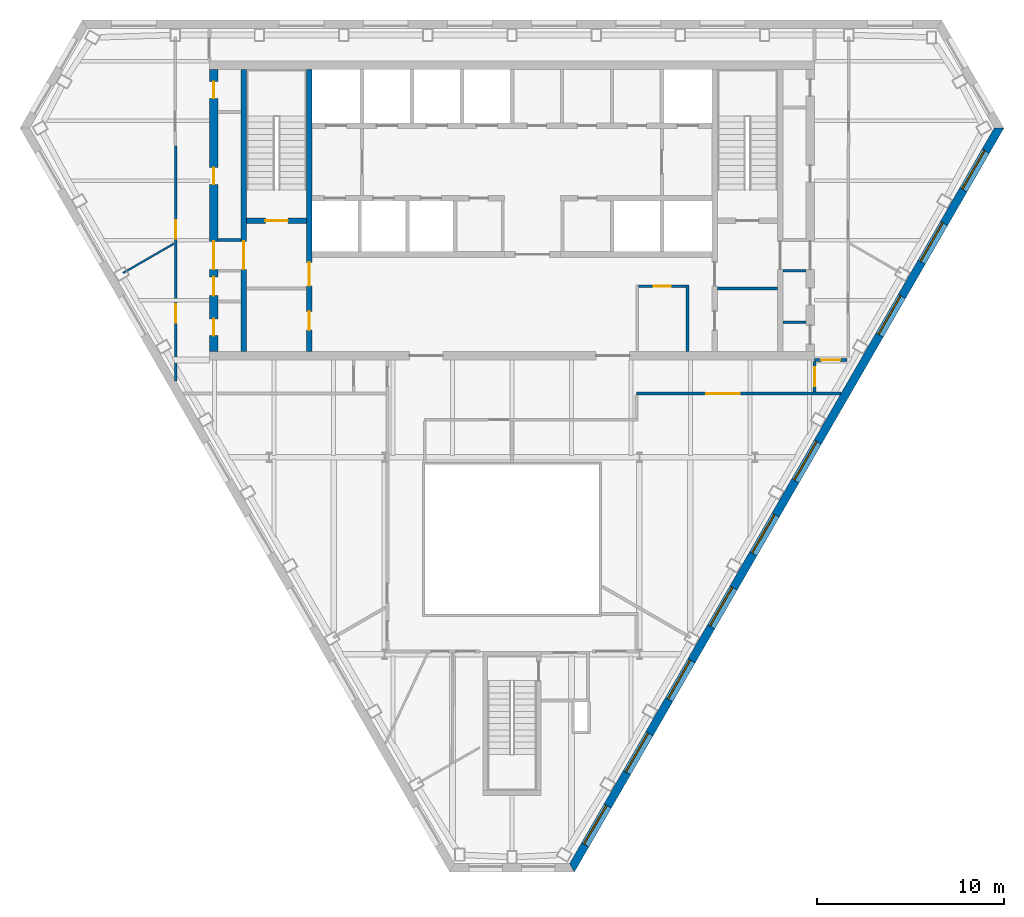
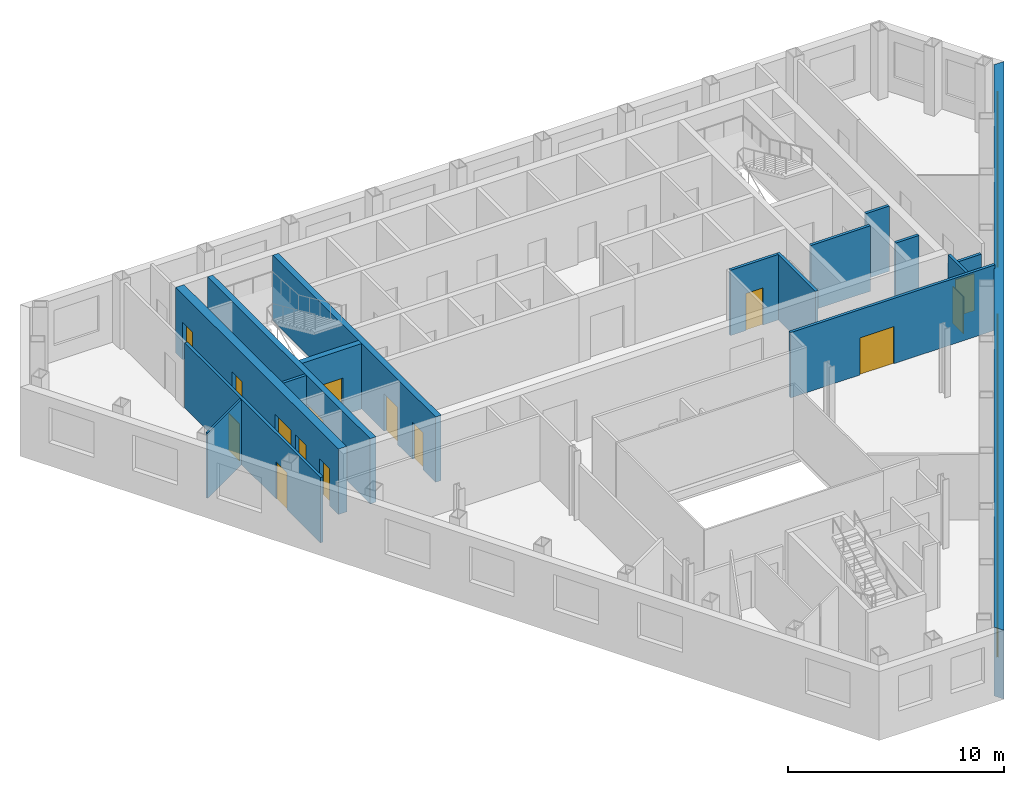
# One storey, part 5 of 10: 16 walls, 15 doors, 9 windows, 24 openings.
"""IFC4 building model written with IfcOpenShell, lengths in metres."""

from ifc_helpers import new_model, si_unit, direction, frame, frame_2d, origin, place, context, subcontext, project, spatial, polyline, rectangle, outline, extrude, material, layer, layer_set, type_object, element, fill, save


model = new_model("IFC4")

# Units and contexts
model_context = context("Model", 3, precision=1e-05, world=origin(), true_north=direction((0.0, 1.0)))
body_context = subcontext(model_context, "Body", "Model", "MODEL_VIEW")
ifc_project = project(units=[si_unit("LENGTHUNIT", "METRE"), si_unit("AREAUNIT", "SQUARE_METRE"), si_unit("VOLUMEUNIT", "CUBIC_METRE"), si_unit("PLANEANGLEUNIT", "RADIAN"), si_unit("MASSUNIT", "GRAM", prefix="KILO")], contexts=[model_context])

# Site, building, storey
site_placement = place(None, origin())
site = spatial("IfcSite", under=ifc_project, at=site_placement, CompositionType="ELEMENT")
building_placement = place(site_placement, origin())
building = spatial("IfcBuilding", under=site, at=building_placement, Name="Njiva Tower", CompositionType="ELEMENT")
storey_placement = place(building_placement, frame((0.0, 0.0, 231.6)))
storey = spatial("IfcBuildingStorey", under=building, at=storey_placement, Name="L52", CompositionType="ELEMENT", Elevation=231.6)

# Walls
ifc_material_1 = material(Name="Blockwork", Category="masonry")
ifc_layer_1 = layer(ifc_material_1, 0.15)
ifc_layer_set_1 = layer_set([ifc_layer_1], Name="Blockwork")
wall_type_1 = type_object("IfcWallType", Name="WT1 Compartment partition 150", PredefinedType="PARTITIONING", material=ifc_layer_set_1)
wall_1_placement = place(storey_placement, frame((11.0, 5.825, 0.0), z_axis=(0.0, 0.0, 1.0), x_axis=(1.0, 0.0, 0.0)))
element("IfcWall", 1, at=wall_1_placement, inside=storey, type_object=wall_type_1, Name="Room wall B", PredefinedType="PARTITIONING", context=body_context, shape_type="SweptSolid", body=[
    extrude(rectangle(XDim=3.2, YDim=0.15, at=frame_2d((1.6, 0.0))), origin(), (0.0, 0.0, 1.0), 3.7),
])
wall_2_placement = place(storey_placement, frame((14.5, 4.025, 0.0), z_axis=(0.0, 0.0, 1.0), x_axis=(1.0, 0.0, 0.0)))
element("IfcWall", 2, at=wall_2_placement, inside=storey, type_object=wall_type_1, Name="Partition strip E00", PredefinedType="PARTITIONING", context=body_context, shape_type="SweptSolid", body=[
    extrude(rectangle(XDim=1.25, YDim=0.15, at=frame_2d((0.625, 0.0))), origin(), (0.0, 0.0, 1.0), 3.7),
])
wall_3_placement = place(storey_placement, frame((9.4, 2.45, 0.0), z_axis=(0.0, 0.0, 1.0), x_axis=(0.0, 1.0, 0.0)))
element("IfcWall", 3, at=wall_3_placement, inside=storey, type_object=wall_type_1, Name="Security office wall east", PredefinedType="PARTITIONING", context=body_context, shape_type="SweptSolid", body=[
    extrude(rectangle(XDim=3.575, YDim=0.15, at=frame_2d((1.7875, 0.0))), origin(), (0.0, 0.0, 1.0), 3.7),
])

# Wall, opening, door
wall_4_placement = place(storey_placement, frame((6.775, 5.95, 0.0), z_axis=(0.0, 0.0, 1.0), x_axis=(1.0, 0.0, 0.0)))
wall_4 = element("IfcWall", 4, at=wall_4_placement, inside=storey, type_object=wall_type_1, Name="Security office wall north", PredefinedType="PARTITIONING", context=body_context, shape_type="SweptSolid", body=[
    extrude(rectangle(XDim=2.55, YDim=0.15, at=frame_2d((1.275, 0.0))), origin(), (0.0, 0.0, 1.0), 3.7),
])
opening_1_placement = place(wall_4_placement, frame((0.825, 0.0, 0.0)))
opening_1 = element("IfcOpeningElement", 5, at=opening_1_placement, cuts=wall_4, Name="Opening S17-D934", PredefinedType="OPENING", context=body_context, shape_type="SweptSolid", body=[
    extrude(rectangle(XDim=0.9, YDim=2.1, at=frame_2d((0.45, 1.05))), frame((0.0, 0.085, 0.0), z_axis=(0.0, -1.0, 0.0), x_axis=(1.0, 0.0, 0.0)), (0.0, 0.0, 1.0), 0.17),
])
ifc_material_2 = material(Name="Steel fire door, painted", Category="steel")
door_type_1 = type_object("IfcDoorType", Name="D6 Fire-rated door 900x2100", OperationType="SINGLE_SWING_LEFT", PredefinedType="DOOR", material=ifc_material_2)
door_1_placement = place(opening_1_placement, origin())
door_1 = element("IfcDoor", 6, at=door_1_placement, inside=storey, type_object=door_type_1, Name="Security office door", OperationType="SINGLE_SWING_RIGHT", OverallHeight=2.1, OverallWidth=0.9, PredefinedType="DOOR", context=body_context, shape_type="SweptSolid", body=[
    extrude(rectangle(XDim=0.9, YDim=2.1, at=frame_2d((0.45, 1.05))), frame((0.0, 0.025, 0.0), z_axis=(0.0, -1.0, 0.0), x_axis=(1.0, 0.0, 0.0)), (0.0, 0.0, 1.0), 0.05),
])
fill(opening_1, door_1)

# Wall, openings, doors
ifc_material_3 = material(Name="Concrete C40/50", Category="concrete")
ifc_layer_2 = layer(ifc_material_3, 0.3)
ifc_layer_set_2 = layer_set([ifc_layer_2], Name="Concrete C40/50")
wall_type_2 = type_object("IfcWallType", Name="WT10 Stair enclosure wall 300", PredefinedType="SHEAR", material=ifc_layer_set_2)
wall_5_placement = place(storey_placement, frame((-10.85, 2.45, 0.0), z_axis=(0.0, 0.0, 1.0), x_axis=(0.0, 1.0, 0.0)))
wall_5 = element("IfcWall", 7, at=wall_5_placement, inside=storey, type_object=wall_type_2, Name="Stair wall west inner", PredefinedType="SHEAR", context=body_context, shape_type="SweptSolid", body=[
    extrude(rectangle(XDim=15.1, YDim=0.3, at=frame_2d((7.55, 0.0))), origin(), (0.0, 0.0, 1.0), 3.7),
])
opening_2_placement = place(wall_5_placement, frame((3.525, 0.0, 0.0)))
opening_2 = element("IfcOpeningElement", 8, at=opening_2_placement, cuts=wall_5, Name="Opening S17-D916", PredefinedType="OPENING", context=body_context, shape_type="SweptSolid", body=[
    extrude(rectangle(XDim=1.25, YDim=2.1, at=frame_2d((0.625, 1.05))), frame((0.0, 0.16, 0.0), z_axis=(0.0, -1.0, 0.0), x_axis=(1.0, 0.0, 0.0)), (0.0, 0.0, 1.0), 0.32),
])
opening_3_placement = place(wall_5_placement, frame((1.15, 0.0, 0.0)))
opening_3 = element("IfcOpeningElement", 9, at=opening_3_placement, cuts=wall_5, Name="Opening S17-D917", PredefinedType="OPENING", context=body_context, shape_type="SweptSolid", body=[
    extrude(rectangle(XDim=1.0, YDim=2.1, at=frame_2d((0.5, 1.05))), frame((0.0, 0.16, 0.0), z_axis=(0.0, -1.0, 0.0), x_axis=(1.0, 0.0, 0.0)), (0.0, 0.0, 1.0), 0.32),
])
ifc_material_4 = material(Name="Steel door, painted", Category="steel")
door_type_2 = type_object("IfcDoorType", Name="D5 Steel door 1000x2100", OperationType="SINGLE_SWING_LEFT", PredefinedType="DOOR", material=ifc_material_4)
door_2_placement = place(opening_3_placement, origin())
door_2 = element("IfcDoor", 10, at=door_2_placement, inside=storey, type_object=door_type_2, Name="Business centre door", OperationType="SINGLE_SWING_RIGHT", OverallHeight=2.1, OverallWidth=1.0, PredefinedType="DOOR", context=body_context, shape_type="SweptSolid", body=[
    extrude(rectangle(XDim=1.0, YDim=2.1, at=frame_2d((0.5, 1.05))), frame((0.0, 0.025, 0.0), z_axis=(0.0, -1.0, 0.0), x_axis=(1.0, 0.0, 0.0)), (0.0, 0.0, 1.0), 0.05),
])
fill(opening_3, door_2)
ifc_material_5 = material(Name="Glazed steel fire door", Category="steel")
door_type_3 = type_object("IfcDoorType", Name="D8 Vestibule corridor door 1250x2100 glazed", OperationType="SINGLE_SWING_LEFT", PredefinedType="DOOR", material=ifc_material_5)
door_3_placement = place(opening_2_placement, origin())
door_3 = element("IfcDoor", 11, at=door_3_placement, inside=storey, type_object=door_type_3, Name="Stair vestibule corridor door", OperationType="SINGLE_SWING_LEFT", OverallHeight=2.1, OverallWidth=1.25, PredefinedType="DOOR", context=body_context, shape_type="SweptSolid", body=[
    extrude(rectangle(XDim=1.25, YDim=2.1, at=frame_2d((0.625, 1.05))), frame((0.0, 0.025, 0.0), z_axis=(0.0, -1.0, 0.0), x_axis=(1.0, 0.0, 0.0)), (0.0, 0.0, 1.0), 0.05),
])
fill(opening_2, door_3)

# Wall, opening, door
wall_6_placement = place(storey_placement, frame((-14.35, 2.45, 0.0), z_axis=(0.0, 0.0, 1.0), x_axis=(0.0, 1.0, 0.0)))
wall_6 = element("IfcWall", 12, at=wall_6_placement, inside=storey, type_object=wall_type_2, Name="Stair wall west outer", PredefinedType="SHEAR", context=body_context, shape_type="SweptSolid", body=[
    extrude(rectangle(XDim=15.1, YDim=0.3, at=frame_2d((7.55, 0.0))), origin(), (0.0, 0.0, 1.0), 3.7),
])
opening_4_placement = place(wall_6_placement, frame((4.4, 0.0, 0.0)))
opening_4 = element("IfcOpeningElement", 13, at=opening_4_placement, cuts=wall_6, Name="Opening S17-D922", PredefinedType="OPENING", context=body_context, shape_type="SweptSolid", body=[
    extrude(rectangle(XDim=1.5, YDim=2.1, at=frame_2d((0.75, 1.05))), frame((0.0, 0.16, 0.0), z_axis=(0.0, -1.0, 0.0), x_axis=(1.0, 0.0, 0.0)), (0.0, 0.0, 1.0), 0.32),
])
door_type_4 = type_object("IfcDoorType", Name="D10 Exit door double 1500x2100 glazed", OperationType="DOUBLE_DOOR_SINGLE_SWING", PredefinedType="DOOR", material=ifc_material_5)
door_4_placement = place(opening_4_placement, origin())
door_4 = element("IfcDoor", 14, at=door_4_placement, inside=storey, type_object=door_type_4, Name="Stair A passage door", OperationType="DOUBLE_DOOR_SINGLE_SWING", OverallHeight=2.1, OverallWidth=1.5, PredefinedType="DOOR", context=body_context, shape_type="SweptSolid", body=[
    extrude(rectangle(XDim=1.5, YDim=2.1, at=frame_2d((0.75, 1.05))), frame((0.0, 0.025, 0.0), z_axis=(0.0, -1.0, 0.0), x_axis=(1.0, 0.0, 0.0)), (0.0, 0.0, 1.0), 0.05),
])
fill(opening_4, door_4)

wall_7_placement = place(storey_placement, frame((-14.2, 9.45, 0.0), z_axis=(0.0, 0.0, 1.0), x_axis=(1.0, 0.0, 0.0)))
wall_7 = element("IfcWall", 15, at=wall_7_placement, inside=storey, type_object=wall_type_2, Name="Stair A south wall", PredefinedType="SHEAR", context=body_context, shape_type="SweptSolid", body=[
    extrude(rectangle(XDim=3.2, YDim=0.3, at=frame_2d((1.6, 0.0))), origin(), (0.0, 0.0, 1.0), 3.7),
])
opening_5_placement = place(wall_7_placement, frame((1.0, 0.0, 0.0)))
opening_5 = element("IfcOpeningElement", 16, at=opening_5_placement, cuts=wall_7, Name="Opening S17-D915", PredefinedType="OPENING", context=body_context, shape_type="SweptSolid", body=[
    extrude(rectangle(XDim=1.2, YDim=2.1, at=frame_2d((0.6, 1.05))), frame((0.0, 0.16, 0.0), z_axis=(0.0, -1.0, 0.0), x_axis=(1.0, 0.0, 0.0)), (0.0, 0.0, 1.0), 0.32),
])
door_type_5 = type_object("IfcDoorType", Name="D7 Stair vestibule door 1200x2100 glazed", OperationType="SINGLE_SWING_LEFT", PredefinedType="DOOR", material=ifc_material_5)
door_5_placement = place(opening_5_placement, origin())
door_5 = element("IfcDoor", 17, at=door_5_placement, inside=storey, type_object=door_type_5, Name="Stair A door", OperationType="SINGLE_SWING_LEFT", OverallHeight=2.1, OverallWidth=1.2, PredefinedType="DOOR", context=body_context, shape_type="SweptSolid", body=[
    extrude(rectangle(XDim=1.2, YDim=2.1, at=frame_2d((0.6, 1.05))), frame((0.0, 0.025, 0.0), z_axis=(0.0, -1.0, 0.0), x_axis=(1.0, 0.0, 0.0)), (0.0, 0.0, 1.0), 0.05),
])
fill(opening_5, door_5)

# Wall, openings, doors
ifc_material_6 = material(Name="Concrete C60/75", Category="concrete")
ifc_layer_3 = layer(ifc_material_6, 0.45)
ifc_layer_set_3 = layer_set([ifc_layer_3], Name="Concrete C60/75")
wall_type_3 = type_object("IfcWallType", Name="WT12 Core wall 450", PredefinedType="SHEAR", material=ifc_layer_set_3)
wall_8_placement = place(storey_placement, frame((-15.975, 2.45, 0.0), z_axis=(0.0, 0.0, 1.0), x_axis=(0.0, 1.0, 0.0)))
wall_8 = element("IfcWall", 18, at=wall_8_placement, inside=storey, type_object=wall_type_3, Name="Core wall west", PredefinedType="SHEAR", context=body_context, shape_type="SweptSolid", body=[
    extrude(rectangle(XDim=15.1, YDim=0.45, at=frame_2d((7.55, 0.0))), origin(), (0.0, 0.0, 1.0), 3.7),
])
opening_6_placement = place(wall_8_placement, frame((4.4, 0.0, 0.0)))
opening_6 = element("IfcOpeningElement", 19, at=opening_6_placement, cuts=wall_8, Name="Opening S17-D923", PredefinedType="OPENING", context=body_context, shape_type="SweptSolid", body=[
    extrude(rectangle(XDim=1.5, YDim=2.1, at=frame_2d((0.75, 1.05))), frame((0.0, 0.235, 0.0), z_axis=(0.0, -1.0, 0.0), x_axis=(1.0, 0.0, 0.0)), (0.0, 0.0, 1.0), 0.47),
])
opening_7_placement = place(wall_8_placement, frame((0.85, 0.0, 0.0)))
opening_7 = element("IfcOpeningElement", 20, at=opening_7_placement, cuts=wall_8, Name="Opening S17-D924", PredefinedType="OPENING", context=body_context, shape_type="SweptSolid", body=[
    extrude(rectangle(XDim=0.9, YDim=2.1, at=frame_2d((0.45, 1.05))), frame((0.0, 0.235, 0.0), z_axis=(0.0, -1.0, 0.0), x_axis=(1.0, 0.0, 0.0)), (0.0, 0.0, 1.0), 0.47),
])
opening_8_placement = place(wall_8_placement, frame((3.0, 0.0, 0.0)))
opening_8 = element("IfcOpeningElement", 21, at=opening_8_placement, cuts=wall_8, Name="Opening S17-D925", PredefinedType="OPENING", context=body_context, shape_type="SweptSolid", body=[
    extrude(rectangle(XDim=1.0, YDim=2.1, at=frame_2d((0.5, 1.05))), frame((0.0, 0.235, 0.0), z_axis=(0.0, -1.0, 0.0), x_axis=(1.0, 0.0, 0.0)), (0.0, 0.0, 1.0), 0.47),
])
opening_9_placement = place(wall_8_placement, frame((8.9511, 0.0, 0.0)))
opening_9 = element("IfcOpeningElement", 22, at=opening_9_placement, cuts=wall_8, Name="Opening S17-D926", PredefinedType="OPENING", context=body_context, shape_type="SweptSolid", body=[
    extrude(rectangle(XDim=0.9, YDim=2.1, at=frame_2d((0.45, 1.05))), frame((0.0, 0.235, 0.0), z_axis=(0.0, -1.0, 0.0), x_axis=(1.0, 0.0, 0.0)), (0.0, 0.0, 1.0), 0.47),
])
opening_10_placement = place(wall_8_placement, frame((13.5511, 0.0, 0.0)))
opening_10 = element("IfcOpeningElement", 23, at=opening_10_placement, cuts=wall_8, Name="Opening S17-D927", PredefinedType="OPENING", context=body_context, shape_type="SweptSolid", body=[
    extrude(rectangle(XDim=0.9, YDim=2.1, at=frame_2d((0.45, 1.05))), frame((0.0, 0.235, 0.0), z_axis=(0.0, -1.0, 0.0), x_axis=(1.0, 0.0, 0.0)), (0.0, 0.0, 1.0), 0.47),
])
door_6_placement = place(opening_6_placement, origin())
door_6 = element("IfcDoor", 24, at=door_6_placement, inside=storey, type_object=door_type_4, Name="Stair A corridor door", OperationType="DOUBLE_DOOR_SINGLE_SWING", OverallHeight=2.1, OverallWidth=1.5, PredefinedType="DOOR", context=body_context, shape_type="SweptSolid", body=[
    extrude(rectangle(XDim=1.5, YDim=2.1, at=frame_2d((0.75, 1.05))), frame((0.0, 0.025, 0.0), z_axis=(0.0, -1.0, 0.0), x_axis=(1.0, 0.0, 0.0)), (0.0, 0.0, 1.0), 0.05),
])
fill(opening_6, door_6)
door_type_6 = type_object("IfcDoorType", Name="D4 Riser door 900x2100", OperationType="SINGLE_SWING_LEFT", PredefinedType="DOOR", material=ifc_material_4)
door_7_placement = place(opening_10_placement, origin())
door_7 = element("IfcDoor", 25, at=door_7_placement, inside=storey, type_object=door_type_6, Name="Cable riser door", OperationType="SINGLE_SWING_LEFT", OverallHeight=2.1, OverallWidth=0.9, PredefinedType="DOOR", context=body_context, shape_type="SweptSolid", body=[
    extrude(rectangle(XDim=0.9, YDim=2.1, at=frame_2d((0.45, 1.05))), frame((0.0, 0.025, 0.0), z_axis=(0.0, -1.0, 0.0), x_axis=(1.0, 0.0, 0.0)), (0.0, 0.0, 1.0), 0.05),
])
fill(opening_10, door_7)
door_8_placement = place(opening_8_placement, origin())
door_8 = element("IfcDoor", 26, at=door_8_placement, inside=storey, type_object=door_type_2, Name="Electrical room door", OperationType="SINGLE_SWING_RIGHT", OverallHeight=2.1, OverallWidth=1.0, PredefinedType="DOOR", context=body_context, shape_type="SweptSolid", body=[
    extrude(rectangle(XDim=1.0, YDim=2.1, at=frame_2d((0.5, 1.05))), frame((0.0, 0.025, 0.0), z_axis=(0.0, -1.0, 0.0), x_axis=(1.0, 0.0, 0.0)), (0.0, 0.0, 1.0), 0.05),
])
fill(opening_8, door_8)
door_9_placement = place(opening_7_placement, origin())
door_9 = element("IfcDoor", 27, at=door_9_placement, inside=storey, type_object=door_type_1, Name="Cable store door", OperationType="SINGLE_SWING_RIGHT", OverallHeight=2.1, OverallWidth=0.9, PredefinedType="DOOR", context=body_context, shape_type="SweptSolid", body=[
    extrude(rectangle(XDim=0.9, YDim=2.1, at=frame_2d((0.45, 1.05))), frame((0.0, 0.025, 0.0), z_axis=(0.0, -1.0, 0.0), x_axis=(1.0, 0.0, 0.0)), (0.0, 0.0, 1.0), 0.05),
])
fill(opening_7, door_9)
door_10_placement = place(opening_9_placement, origin())
door_10 = element("IfcDoor", 28, at=door_10_placement, inside=storey, type_object=door_type_1, Name="Cable store door", OperationType="SINGLE_SWING_LEFT", OverallHeight=2.1, OverallWidth=0.9, PredefinedType="DOOR", context=body_context, shape_type="SweptSolid", body=[
    extrude(rectangle(XDim=0.9, YDim=2.1, at=frame_2d((0.45, 1.05))), frame((0.0, 0.025, 0.0), z_axis=(0.0, -1.0, 0.0), x_axis=(1.0, 0.0, 0.0)), (0.0, 0.0, 1.0), 0.05),
])
fill(opening_9, door_10)

# Wall
ifc_material_7 = material(Name="Gypsum board on steel studs", Category="gypsum")
ifc_layer_4 = layer(ifc_material_7, 0.1)
ifc_layer_set_4 = layer_set([ifc_layer_4], Name="Gypsum board on steel studs")
wall_type_4 = type_object("IfcWallType", Name="WT20 Gypsum partition 100", PredefinedType="PARTITIONING", material=ifc_layer_set_4)
wall_9_placement = place(storey_placement, frame((-20.818, 6.66, 0.0), z_axis=(0.0, 0.0, 1.0), x_axis=(0.866058244174, 0.499943114462, 0.0)))
element("IfcWall", 29, at=wall_9_placement, inside=storey, type_object=wall_type_4, Name="Partition S17-P001", PredefinedType="PARTITIONING", context=body_context, shape_type="SweptSolid", body=[
    extrude(rectangle(XDim=3.1384, YDim=0.1, at=frame_2d((1.5692, 0.0))), origin(), (0.0, 0.0, 1.0), 3.7),
])

# Wall, openings, doors
ifc_layer_5 = layer(ifc_material_7, 0.15)
ifc_layer_set_5 = layer_set([ifc_layer_5], Name="Gypsum board on steel studs")
wall_type_5 = type_object("IfcWallType", Name="WT21 Compartment wall 150", PredefinedType="PARTITIONING", material=ifc_layer_set_5)
wall_10_placement = place(storey_placement, frame((-18.0, 0.879, 0.0), z_axis=(0.0, 0.0, 1.0), x_axis=(0.0, 1.0, 0.0)))
wall_10 = element("IfcWall", 30, at=wall_10_placement, inside=storey, type_object=wall_type_5, Name="Partition S17-P003", PredefinedType="PARTITIONING", context=body_context, shape_type="SweptSolid", body=[
    extrude(rectangle(XDim=12.579, YDim=0.15, at=frame_2d((6.2895, 0.0))), origin(), (0.0, 0.0, 1.0), 3.7),
])
opening_11_placement = place(wall_10_placement, frame((3.103, 0.0, 0.0)))
opening_11 = element("IfcOpeningElement", 31, at=opening_11_placement, cuts=wall_10, Name="Opening S17-D002", PredefinedType="OPENING", context=body_context, shape_type="SweptSolid", body=[
    extrude(rectangle(XDim=1.0, YDim=2.1, at=frame_2d((0.5, 1.05))), frame((0.0, 0.085, 0.0), z_axis=(0.0, -1.0, 0.0), x_axis=(1.0, 0.0, 0.0)), (0.0, 0.0, 1.0), 0.17),
])
opening_12_placement = place(wall_10_placement, frame((7.608, 0.0, 0.0)))
opening_12 = element("IfcOpeningElement", 32, at=opening_12_placement, cuts=wall_10, Name="Opening S17-D003", PredefinedType="OPENING", context=body_context, shape_type="SweptSolid", body=[
    extrude(rectangle(XDim=1.0, YDim=2.1, at=frame_2d((0.5, 1.05))), frame((0.0, 0.085, 0.0), z_axis=(0.0, -1.0, 0.0), x_axis=(1.0, 0.0, 0.0)), (0.0, 0.0, 1.0), 0.17),
])
ifc_material_8 = material(Name="Steel fire door set", Category="steel")
door_type_7 = type_object("IfcDoorType", Name="D37 Fire door 1000x2100", OperationType="SINGLE_SWING_LEFT", PredefinedType="DOOR", material=ifc_material_8)
door_11_placement = place(opening_11_placement, origin())
door_11 = element("IfcDoor", 33, at=door_11_placement, inside=storey, type_object=door_type_7, Name="Door S17-D002", OperationType="SINGLE_SWING_RIGHT", OverallHeight=2.1, OverallWidth=1.0, PredefinedType="DOOR", context=body_context, shape_type="SweptSolid", body=[
    extrude(rectangle(XDim=1.0, YDim=2.1, at=frame_2d((0.5, 1.05))), frame((0.0, 0.025, 0.0), z_axis=(0.0, -1.0, 0.0), x_axis=(1.0, 0.0, 0.0)), (0.0, 0.0, 1.0), 0.05),
])
fill(opening_11, door_11)
door_12_placement = place(opening_12_placement, origin())
door_12 = element("IfcDoor", 34, at=door_12_placement, inside=storey, type_object=door_type_7, Name="Door S17-D003", OperationType="SINGLE_SWING_LEFT", OverallHeight=2.1, OverallWidth=1.0, PredefinedType="DOOR", context=body_context, shape_type="SweptSolid", body=[
    extrude(rectangle(XDim=1.0, YDim=2.1, at=frame_2d((0.5, 1.05))), frame((0.0, 0.025, 0.0), z_axis=(0.0, -1.0, 0.0), x_axis=(1.0, 0.0, 0.0)), (0.0, 0.0, 1.0), 0.05),
])
fill(opening_12, door_12)

# Wall, opening, door
wall_11_placement = place(storey_placement, frame((6.67, 0.2, 0.0), z_axis=(0.0, 0.0, 1.0), x_axis=(1.0, 0.0, 0.0)))
wall_11 = element("IfcWall", 35, at=wall_11_placement, inside=storey, type_object=wall_type_5, Name="Partition S17-P022", PredefinedType="PARTITIONING", context=body_context, shape_type="SweptSolid", body=[
    extrude(rectangle(XDim=10.938, YDim=0.15, at=frame_2d((5.469, 0.0))), origin(), (0.0, 0.0, 1.0), 3.7),
])
opening_13_placement = place(wall_11_placement, frame((3.721, 0.0, 0.0)))
opening_13 = element("IfcOpeningElement", 36, at=opening_13_placement, cuts=wall_11, Name="Opening S17-D013", PredefinedType="OPENING", context=body_context, shape_type="SweptSolid", body=[
    extrude(rectangle(XDim=1.8, YDim=2.1, at=frame_2d((0.9, 1.05))), frame((0.0, 0.085, 0.0), z_axis=(0.0, -1.0, 0.0), x_axis=(1.0, 0.0, 0.0)), (0.0, 0.0, 1.0), 0.17),
])
door_type_8 = type_object("IfcDoorType", Name="D38 Fire door 1800x2100", OperationType="DOUBLE_DOOR_SINGLE_SWING", PredefinedType="DOOR", material=ifc_material_8)
door_13_placement = place(opening_13_placement, origin())
door_13 = element("IfcDoor", 37, at=door_13_placement, inside=storey, type_object=door_type_8, Name="Door S17-D013", OperationType="DOUBLE_DOOR_SINGLE_SWING", OverallHeight=2.1, OverallWidth=1.8, PredefinedType="DOOR", context=body_context, shape_type="SweptSolid", body=[
    extrude(rectangle(XDim=1.8, YDim=2.1, at=frame_2d((0.9, 1.05))), frame((0.0, 0.025, 0.0), z_axis=(0.0, -1.0, 0.0), x_axis=(1.0, 0.0, 0.0)), (0.0, 0.0, 1.0), 0.05),
])
fill(opening_13, door_13)

wall_12_placement = place(storey_placement, frame((16.2, 0.275, 0.0), z_axis=(0.0, 0.0, 1.0), x_axis=(0.0, 1.0, 0.0)))
wall_12 = element("IfcWall", 38, at=wall_12_placement, inside=storey, type_object=wall_type_5, Name="Partition S17-P023", PredefinedType="PARTITIONING", context=body_context, shape_type="SweptSolid", body=[
    extrude(rectangle(XDim=1.65, YDim=0.15, at=frame_2d((0.825, 0.0))), origin(), (0.0, 0.0, 1.0), 3.7),
])
opening_14_placement = place(wall_12_placement, frame((0.325, 0.0, 0.0)))
opening_14 = element("IfcOpeningElement", 39, at=opening_14_placement, cuts=wall_12, Name="Opening S17-D014", PredefinedType="OPENING", context=body_context, shape_type="SweptSolid", body=[
    extrude(rectangle(XDim=1.0, YDim=2.1, at=frame_2d((0.5, 1.05))), frame((0.0, 0.085, 0.0), z_axis=(0.0, -1.0, 0.0), x_axis=(1.0, 0.0, 0.0)), (0.0, 0.0, 1.0), 0.17),
])
door_14_placement = place(opening_14_placement, origin())
door_14 = element("IfcDoor", 40, at=door_14_placement, inside=storey, type_object=door_type_7, Name="Door S17-D014", OperationType="SINGLE_SWING_LEFT", OverallHeight=2.1, OverallWidth=1.0, PredefinedType="DOOR", context=body_context, shape_type="SweptSolid", body=[
    extrude(rectangle(XDim=1.0, YDim=2.1, at=frame_2d((0.5, 1.05))), frame((0.0, 0.025, 0.0), z_axis=(0.0, -1.0, 0.0), x_axis=(1.0, 0.0, 0.0)), (0.0, 0.0, 1.0), 0.05),
])
fill(opening_14, door_14)

wall_13_placement = place(storey_placement, frame((16.2, 2.0, 0.0), z_axis=(0.0, 0.0, 1.0), x_axis=(1.0, 0.0, 0.0)))
wall_13 = element("IfcWall", 41, at=wall_13_placement, inside=storey, type_object=wall_type_5, Name="Partition S17-P024", PredefinedType="PARTITIONING", context=body_context, shape_type="SweptSolid", body=[
    extrude(rectangle(XDim=1.725, YDim=0.15, at=frame_2d((0.8625, 0.0))), origin(), (0.0, 0.0, 1.0), 3.11),
])
opening_15_placement = place(wall_13_placement, frame((0.363, 0.0, 0.0)))
opening_15 = element("IfcOpeningElement", 42, at=opening_15_placement, cuts=wall_13, Name="Opening S17-D015", PredefinedType="OPENING", context=body_context, shape_type="SweptSolid", body=[
    extrude(rectangle(XDim=1.0, YDim=2.1, at=frame_2d((0.5, 1.05))), frame((0.0, 0.085, 0.0), z_axis=(0.0, -1.0, 0.0), x_axis=(1.0, 0.0, 0.0)), (0.0, 0.0, 1.0), 0.17),
])
door_15_placement = place(opening_15_placement, origin())
door_15 = element("IfcDoor", 43, at=door_15_placement, inside=storey, type_object=door_type_7, Name="Door S17-D015", OperationType="SINGLE_SWING_LEFT", OverallHeight=2.1, OverallWidth=1.0, PredefinedType="DOOR", context=body_context, shape_type="SweptSolid", body=[
    extrude(rectangle(XDim=1.0, YDim=2.1, at=frame_2d((0.5, 1.05))), frame((0.0, 0.025, 0.0), z_axis=(0.0, -1.0, 0.0), x_axis=(1.0, 0.0, 0.0)), (0.0, 0.0, 1.0), 0.05),
])
fill(opening_15, door_15)

# Walls
ifc_layer_6 = layer(ifc_material_1, 0.15)
ifc_layer_set_6 = layer_set([ifc_layer_6], Name="Blockwork")
wall_type_6 = type_object("IfcWallType", Name="WT4 Stair partition 150", PredefinedType="PARTITIONING", material=ifc_layer_set_6)
for number, where, z_axis, x_axis, name in (
    (44, (-15.75, 8.425, 0.0), (0.0, 0.0, 1.0), (1.0, 0.0, 0.0), "Stair A exit passage wall north"),
    (45, (14.5, 6.775, 0.0), (0.0, 0.0, 1.0), (1.0, 0.0, 0.0), "Stair B exit passage wall south"),
):
    element("IfcWall", number, at=place(storey_placement, frame(where, z_axis=z_axis, x_axis=x_axis)), inside=storey, type_object=wall_type_6, Name=name, PredefinedType="PARTITIONING", context=body_context, shape_type="SweptSolid", body=[
        extrude(rectangle(XDim=1.25, YDim=0.15, at=frame_2d((0.625, 0.0))), origin(), (0.0, 0.0, 1.0), 3.7),
    ])

# Wall, openings, windows
ifc_material_9 = material(Name="Brick masonry", Category="masonry")
ifc_layer_7 = layer(ifc_material_9, 0.45)
ifc_layer_set_7 = layer_set([ifc_layer_7], Name="Brick masonry")
wall_type_7 = type_object("IfcWallType", Name="WT90 Brick pier and spandrel wall 450", PredefinedType="SOLIDWALL", material=ifc_layer_set_7)
wall_14_placement = place(storey_placement, frame((3.2101, -25.1886, -0.4), z_axis=(0.0, 0.0, 1.0), x_axis=(0.499999194392, 0.866025868902, 0.0)))
wall_14 = element("IfcWall", 46, at=wall_14_placement, inside=storey, type_object=wall_type_7, Name="Facade wall SE", PredefinedType="SOLIDWALL", context=body_context, shape_type="SweptSolid", body=[
    extrude(outline(polyline([(-0.1299, -0.225), (45.8602, -0.225), (45.6004, 0.225), (0.1299, 0.225), (-0.1299, -0.225)])), origin(), (0.0, 0.0, 1.0), 3.9),
])
opening_16_placement = place(wall_14_placement, frame((1.4237, 0.0, 1.3)))
opening_16 = element("IfcOpeningElement", 47, at=opening_16_placement, cuts=wall_14, Name="Opening S17-W21", PredefinedType="OPENING", context=body_context, shape_type="SweptSolid", body=[
    extrude(rectangle(XDim=2.4, YDim=2.0, at=frame_2d((1.2, 1.0))), frame((0.0, 0.235, 0.0), z_axis=(0.0, -1.0, 0.0), x_axis=(1.0, 0.0, 0.0)), (0.0, 0.0, 1.0), 0.47),
])
opening_17_placement = place(wall_14_placement, frame((5.8919, 0.0, 1.3)))
opening_17 = element("IfcOpeningElement", 48, at=opening_17_placement, cuts=wall_14, Name="Opening S17-W22", PredefinedType="OPENING", context=body_context, shape_type="SweptSolid", body=[
    extrude(rectangle(XDim=2.4, YDim=2.0, at=frame_2d((1.2, 1.0))), frame((0.0, 0.235, 0.0), z_axis=(0.0, -1.0, 0.0), x_axis=(1.0, 0.0, 0.0)), (0.0, 0.0, 1.0), 0.47),
])
opening_18_placement = place(wall_14_placement, frame((10.3985, 0.0, 1.3)))
opening_18 = element("IfcOpeningElement", 49, at=opening_18_placement, cuts=wall_14, Name="Opening S17-W23", PredefinedType="OPENING", context=body_context, shape_type="SweptSolid", body=[
    extrude(rectangle(XDim=2.4, YDim=2.0, at=frame_2d((1.2, 1.0))), frame((0.0, 0.235, 0.0), z_axis=(0.0, -1.0, 0.0), x_axis=(1.0, 0.0, 0.0)), (0.0, 0.0, 1.0), 0.47),
])
opening_19_placement = place(wall_14_placement, frame((14.9052, 0.0, 1.3)))
opening_19 = element("IfcOpeningElement", 50, at=opening_19_placement, cuts=wall_14, Name="Opening S17-W24", PredefinedType="OPENING", context=body_context, shape_type="SweptSolid", body=[
    extrude(rectangle(XDim=2.4, YDim=2.0, at=frame_2d((1.2, 1.0))), frame((0.0, 0.235, 0.0), z_axis=(0.0, -1.0, 0.0), x_axis=(1.0, 0.0, 0.0)), (0.0, 0.0, 1.0), 0.47),
])
opening_20_placement = place(wall_14_placement, frame((19.4118, 0.0, 1.3)))
opening_20 = element("IfcOpeningElement", 51, at=opening_20_placement, cuts=wall_14, Name="Opening S17-W25", PredefinedType="OPENING", context=body_context, shape_type="SweptSolid", body=[
    extrude(rectangle(XDim=2.4, YDim=2.0, at=frame_2d((1.2, 1.0))), frame((0.0, 0.235, 0.0), z_axis=(0.0, -1.0, 0.0), x_axis=(1.0, 0.0, 0.0)), (0.0, 0.0, 1.0), 0.47),
])
opening_21_placement = place(wall_14_placement, frame((23.9184, 0.0, 1.3)))
opening_21 = element("IfcOpeningElement", 52, at=opening_21_placement, cuts=wall_14, Name="Opening S17-W26", PredefinedType="OPENING", context=body_context, shape_type="SweptSolid", body=[
    extrude(rectangle(XDim=2.4, YDim=2.0, at=frame_2d((1.2, 1.0))), frame((0.0, 0.235, 0.0), z_axis=(0.0, -1.0, 0.0), x_axis=(1.0, 0.0, 0.0)), (0.0, 0.0, 1.0), 0.47),
])
opening_22_placement = place(wall_14_placement, frame((32.9316, 0.0, 1.3)))
opening_22 = element("IfcOpeningElement", 53, at=opening_22_placement, cuts=wall_14, Name="Opening S17-W27", PredefinedType="OPENING", context=body_context, shape_type="SweptSolid", body=[
    extrude(rectangle(XDim=2.4, YDim=2.0, at=frame_2d((1.2, 1.0))), frame((0.0, 0.235, 0.0), z_axis=(0.0, -1.0, 0.0), x_axis=(1.0, 0.0, 0.0)), (0.0, 0.0, 1.0), 0.47),
])
opening_23_placement = place(wall_14_placement, frame((37.4383, 0.0, 1.3)))
opening_23 = element("IfcOpeningElement", 54, at=opening_23_placement, cuts=wall_14, Name="Opening S17-W28", PredefinedType="OPENING", context=body_context, shape_type="SweptSolid", body=[
    extrude(rectangle(XDim=2.4, YDim=2.0, at=frame_2d((1.2, 1.0))), frame((0.0, 0.235, 0.0), z_axis=(0.0, -1.0, 0.0), x_axis=(1.0, 0.0, 0.0)), (0.0, 0.0, 1.0), 0.47),
])
opening_24_placement = place(wall_14_placement, frame((41.9065, 0.0, 1.3)))
opening_24 = element("IfcOpeningElement", 55, at=opening_24_placement, cuts=wall_14, Name="Opening S17-W29", PredefinedType="OPENING", context=body_context, shape_type="SweptSolid", body=[
    extrude(rectangle(XDim=2.4, YDim=2.0, at=frame_2d((1.2, 1.0))), frame((0.0, 0.235, 0.0), z_axis=(0.0, -1.0, 0.0), x_axis=(1.0, 0.0, 0.0)), (0.0, 0.0, 1.0), 0.47),
])
ifc_material_10 = material(Name="Clear glazing in aluminium frame", Category="aluminium")
window_type = type_object("IfcWindowType", Name="W90 Deep-set window 2400x2000", PartitioningType="SINGLE_PANEL", PredefinedType="WINDOW", material=ifc_material_10)
window_1_placement = place(opening_16_placement, origin())
window_1 = element("IfcWindow", 56, at=window_1_placement, inside=storey, type_object=window_type, Name="Window", OverallHeight=2.0, OverallWidth=2.4, PartitioningType="SINGLE_PANEL", PredefinedType="WINDOW", context=body_context, shape_type="SweptSolid", body=[
    extrude(rectangle(XDim=2.4, YDim=2.0, at=frame_2d((1.2, 1.0))), frame((0.0, 0.105, 0.0), z_axis=(0.0, -1.0, 0.0), x_axis=(1.0, 0.0, 0.0)), (0.0, 0.0, 1.0), 0.06),
])
fill(opening_16, window_1)
window_2_placement = place(opening_17_placement, origin())
window_2 = element("IfcWindow", 57, at=window_2_placement, inside=storey, type_object=window_type, Name="Window", OverallHeight=2.0, OverallWidth=2.4, PartitioningType="SINGLE_PANEL", PredefinedType="WINDOW", context=body_context, shape_type="SweptSolid", body=[
    extrude(rectangle(XDim=2.4, YDim=2.0, at=frame_2d((1.2, 1.0))), frame((0.0, 0.105, 0.0), z_axis=(0.0, -1.0, 0.0), x_axis=(1.0, 0.0, 0.0)), (0.0, 0.0, 1.0), 0.06),
])
fill(opening_17, window_2)
window_3_placement = place(opening_18_placement, origin())
window_3 = element("IfcWindow", 58, at=window_3_placement, inside=storey, type_object=window_type, Name="Window", OverallHeight=2.0, OverallWidth=2.4, PartitioningType="SINGLE_PANEL", PredefinedType="WINDOW", context=body_context, shape_type="SweptSolid", body=[
    extrude(rectangle(XDim=2.4, YDim=2.0, at=frame_2d((1.2, 1.0))), frame((0.0, 0.105, 0.0), z_axis=(0.0, -1.0, 0.0), x_axis=(1.0, 0.0, 0.0)), (0.0, 0.0, 1.0), 0.06),
])
fill(opening_18, window_3)
window_4_placement = place(opening_19_placement, origin())
window_4 = element("IfcWindow", 59, at=window_4_placement, inside=storey, type_object=window_type, Name="Window", OverallHeight=2.0, OverallWidth=2.4, PartitioningType="SINGLE_PANEL", PredefinedType="WINDOW", context=body_context, shape_type="SweptSolid", body=[
    extrude(rectangle(XDim=2.4, YDim=2.0, at=frame_2d((1.2, 1.0))), frame((0.0, 0.105, 0.0), z_axis=(0.0, -1.0, 0.0), x_axis=(1.0, 0.0, 0.0)), (0.0, 0.0, 1.0), 0.06),
])
fill(opening_19, window_4)
window_5_placement = place(opening_20_placement, origin())
window_5 = element("IfcWindow", 60, at=window_5_placement, inside=storey, type_object=window_type, Name="Window", OverallHeight=2.0, OverallWidth=2.4, PartitioningType="SINGLE_PANEL", PredefinedType="WINDOW", context=body_context, shape_type="SweptSolid", body=[
    extrude(rectangle(XDim=2.4, YDim=2.0, at=frame_2d((1.2, 1.0))), frame((0.0, 0.105, 0.0), z_axis=(0.0, -1.0, 0.0), x_axis=(1.0, 0.0, 0.0)), (0.0, 0.0, 1.0), 0.06),
])
fill(opening_20, window_5)
window_6_placement = place(opening_21_placement, origin())
window_6 = element("IfcWindow", 61, at=window_6_placement, inside=storey, type_object=window_type, Name="Window", OverallHeight=2.0, OverallWidth=2.4, PartitioningType="SINGLE_PANEL", PredefinedType="WINDOW", context=body_context, shape_type="SweptSolid", body=[
    extrude(rectangle(XDim=2.4, YDim=2.0, at=frame_2d((1.2, 1.0))), frame((0.0, 0.105, 0.0), z_axis=(0.0, -1.0, 0.0), x_axis=(1.0, 0.0, 0.0)), (0.0, 0.0, 1.0), 0.06),
])
fill(opening_21, window_6)
window_7_placement = place(opening_22_placement, origin())
window_7 = element("IfcWindow", 62, at=window_7_placement, inside=storey, type_object=window_type, Name="Window", OverallHeight=2.0, OverallWidth=2.4, PartitioningType="SINGLE_PANEL", PredefinedType="WINDOW", context=body_context, shape_type="SweptSolid", body=[
    extrude(rectangle(XDim=2.4, YDim=2.0, at=frame_2d((1.2, 1.0))), frame((0.0, 0.105, 0.0), z_axis=(0.0, -1.0, 0.0), x_axis=(1.0, 0.0, 0.0)), (0.0, 0.0, 1.0), 0.06),
])
fill(opening_22, window_7)
window_8_placement = place(opening_23_placement, origin())
window_8 = element("IfcWindow", 63, at=window_8_placement, inside=storey, type_object=window_type, Name="Window", OverallHeight=2.0, OverallWidth=2.4, PartitioningType="SINGLE_PANEL", PredefinedType="WINDOW", context=body_context, shape_type="SweptSolid", body=[
    extrude(rectangle(XDim=2.4, YDim=2.0, at=frame_2d((1.2, 1.0))), frame((0.0, 0.105, 0.0), z_axis=(0.0, -1.0, 0.0), x_axis=(1.0, 0.0, 0.0)), (0.0, 0.0, 1.0), 0.06),
])
fill(opening_23, window_8)
window_9_placement = place(opening_24_placement, origin())
window_9 = element("IfcWindow", 64, at=window_9_placement, inside=storey, type_object=window_type, Name="Window", OverallHeight=2.0, OverallWidth=2.4, PartitioningType="SINGLE_PANEL", PredefinedType="WINDOW", context=body_context, shape_type="SweptSolid", body=[
    extrude(rectangle(XDim=2.4, YDim=2.0, at=frame_2d((1.2, 1.0))), frame((0.0, 0.105, 0.0), z_axis=(0.0, -1.0, 0.0), x_axis=(1.0, 0.0, 0.0)), (0.0, 0.0, 1.0), 0.06),
])
fill(opening_24, window_9)

save(model, "model.ifc")
